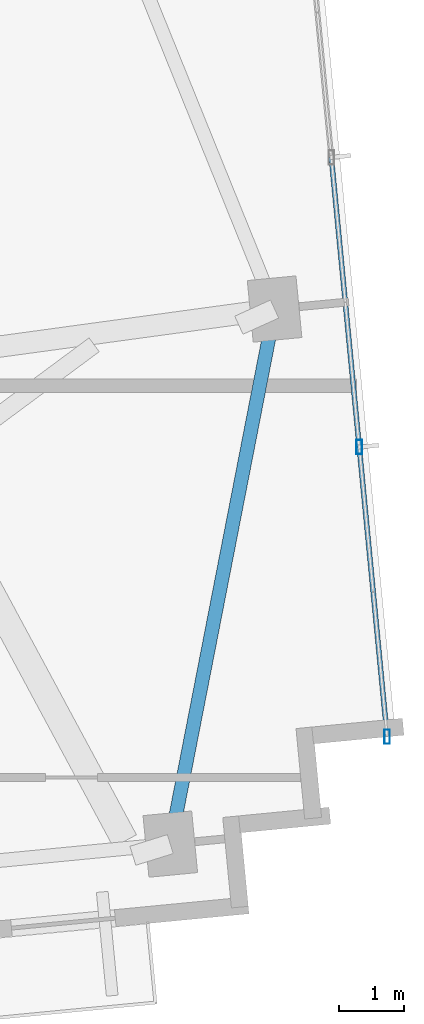
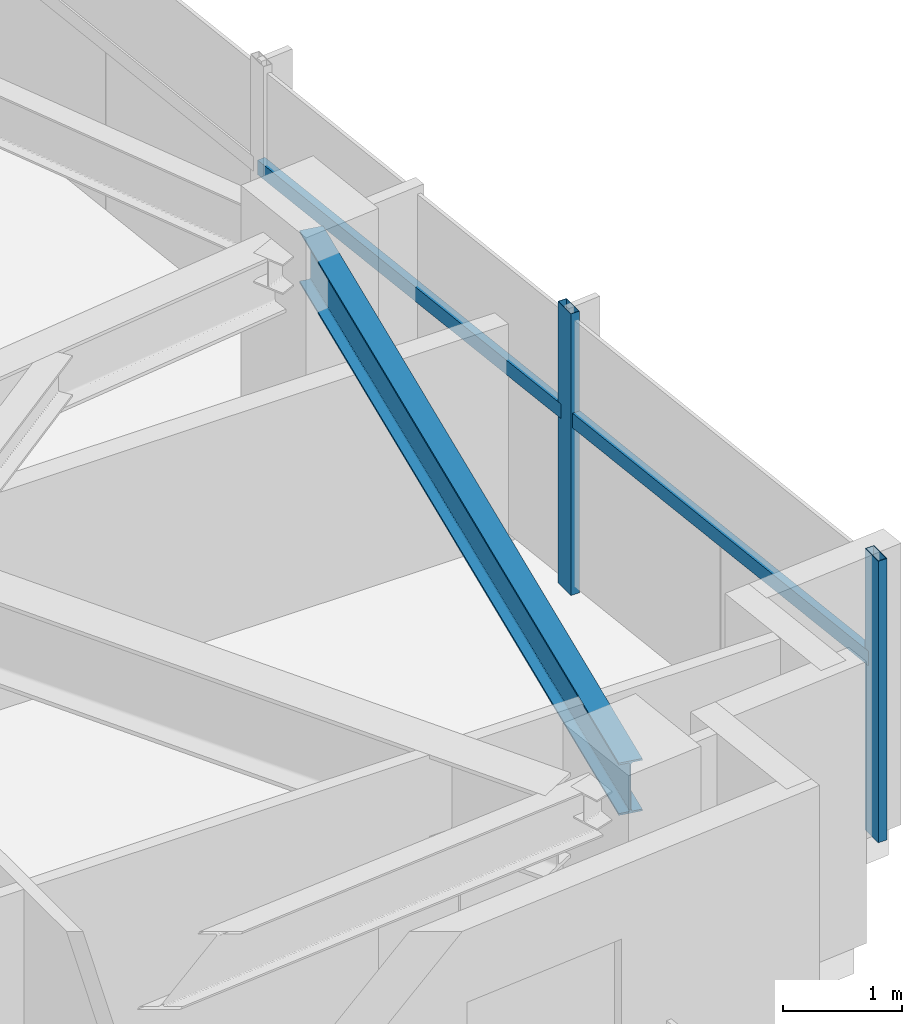
# One storey, part 10 of 18: 4 members, 1 beam, 1 element without a shape of its own.
"""IFC4 building model written with IfcOpenShell, lengths in metres."""

from ifc_helpers import new_model, si_unit, direction, frame, origin, origin_2d, place, context, subcontext, project, spatial, hollow_rectangle, i_section, extrude, source, transform, mapped, material, material_profile, profile_set, type_object, type_shapes, element, aggregate, save


model = new_model("IFC4")

# Units and contexts
model_context = context("Model", 3, precision=1e-05, world=origin(), true_north=direction((0.0, 1.0)))
body_context = subcontext(model_context, "Body", "Model", "MODEL_VIEW")
ifc_project = project(units=[si_unit("LENGTHUNIT", "METRE"), si_unit("AREAUNIT", "SQUARE_METRE"), si_unit("VOLUMEUNIT", "CUBIC_METRE"), si_unit("PLANEANGLEUNIT", "RADIAN"), si_unit("MASSUNIT", "GRAM", prefix="KILO")], contexts=[model_context])

# Site, building, storey
site_placement = place(None, origin())
site = spatial("IfcSite", under=ifc_project, at=site_placement, CompositionType="ELEMENT")
building_placement = place(site_placement, origin())
building = spatial("IfcBuilding", under=site, at=building_placement, Name="Astriad Promenade Condominiums", CompositionType="ELEMENT")
storey_placement = place(building_placement, frame((0.0, 0.0, 208.199951171875)))
storey = spatial("IfcBuildingStorey", under=building, at=storey_placement, Name="L60", CompositionType="ELEMENT", Elevation=208.199951171875)

# Beam
ifc_material_1 = material(Name="Steel ASTM A992 Grade 50", Category="steel")
ifc_material_profile_1 = material_profile(ifc_material_1, i_section(OverallWidth=0.210693359375, OverallDepth=0.53955078125, WebThickness=0.01171875, FlangeThickness=0.018798828125, FilletRadius=0.0166015625, at=origin_2d()), Name="W21X73")
ifc_profile_set_1 = profile_set([ifc_material_profile_1], Name="Steel ASTM A992 Grade 50")
beam_type = type_object("IfcBeamType", Name="STEEL SPANDREL BEAM W21X73", PredefinedType="SPANDREL", material=ifc_profile_set_1)
shared_shape_1 = source(origin(), body_context, "Body", "SweptSolid", [
    extrude(i_section(OverallWidth=0.210693359375, OverallDepth=0.53955078125, WebThickness=0.01171875, FlangeThickness=0.018798828125, FilletRadius=0.0166015625, at=origin_2d()), origin(), (0.0, 0.0, 1.0), 8.28564453125),
])
type_shapes(beam_type, [shared_shape_1])
beam_placement = place(storey_placement, frame((61.775634765625, 11.6552734375, 2.63037109375), z_axis=(0.191291582099, 0.981533254973, 0.0), x_axis=(-0.981533254973, 0.191291582099, 0.0)))
element("IfcBeam", 1, at=beam_placement, inside=storey, type_object=beam_type, Name="Perimeter Spandrel Beam SP-E1-L60", PredefinedType="SPANDREL", context=body_context, shape_type="MappedRepresentation", body=[
    mapped(shared_shape_1, transform((0.0, 0.0, 0.0), scale=1.0)),
])

# Curtain wall, members
ifc_material_2 = material(Name="Anodised aluminium Black Dark Glass Unitised", Category="aluminium")
curtain_wall_type = type_object("IfcCurtainWallType", Name="CW-B34-DARK", PredefinedType="USERDEFINED", material=ifc_material_2)
curtain_wall_placement = place(storey_placement, origin())
curtain_wall = element("IfcCurtainWall", 2, at=curtain_wall_placement, inside=storey, type_object=curtain_wall_type, Name="CW-L60-E", ObjectType="UNITISED_CURTAIN_WALL", PredefinedType="USERDEFINED")
ifc_material_3 = material(Name="Anodised aluminium 6063-T6 Black", Category="aluminium")
ifc_material_profile_2 = material_profile(ifc_material_3, hollow_rectangle(XDim=0.074951171875, YDim=0.14990234375, WallThickness=0.004150390625, at=origin_2d()), Name="ALU-TRN-75X150")
ifc_profile_set_2 = profile_set([ifc_material_profile_2], Name="Anodised aluminium 6063-T6 Black")
member_type_1 = type_object("IfcMemberType", Name="TRN-ALU-TRN-75X150", PredefinedType="USERDEFINED", material=ifc_profile_set_2)
shared_shape_2 = source(origin(), body_context, "Body", "SweptSolid", [
    extrude(hollow_rectangle(XDim=0.074951171875, YDim=0.14990234375, WallThickness=0.004150390625, at=origin_2d()), origin(), (0.0, 0.0, 1.0), 4.466552734375),
])
type_shapes(member_type_1, [shared_shape_2])
member_1_placement = place(storey_placement, frame((64.239013671875, 22.154541015625, 1.798095703125), z_axis=(0.095871755514, -0.995393694221, 0.0), x_axis=(0.995393694221, 0.095871755514, 0.0)))
member_1 = element("IfcMember", 3, at=member_1_placement, type_object=member_type_1, Name="CW-L60-E-TRN-01-0", ObjectType="TRANSOM", PredefinedType="USERDEFINED", context=body_context, shape_type="MappedRepresentation", body=[
    mapped(shared_shape_2, transform((0.0, 0.0, 0.0), scale=1.0)),
])
member_2_placement = place(storey_placement, frame((64.667236328125, 17.70849609375, 1.798095703125), z_axis=(0.095871755514, -0.995393694221, 0.0), x_axis=(0.995393694221, 0.095871755514, 0.0)))
member_2 = element("IfcMember", 4, at=member_2_placement, type_object=member_type_1, Name="CW-L60-E-TRN-02-0", ObjectType="TRANSOM", PredefinedType="USERDEFINED", context=body_context, shape_type="MappedRepresentation", body=[
    mapped(shared_shape_2, transform((0.0, 0.0, 0.0), scale=1.0)),
])
ifc_material_profile_3 = material_profile(ifc_material_3, hollow_rectangle(XDim=0.0849609375, YDim=0.219970703125, WallThickness=0.0048828125, at=origin_2d()), Name="ALU-MUL-85X220")
ifc_profile_set_3 = profile_set([ifc_material_profile_3], Name="Anodised aluminium 6063-T6 Black")
member_type_2 = type_object("IfcMemberType", Name="MUL-ALU-MUL-85X220", PredefinedType="MULLION", material=ifc_profile_set_3)
shared_shape_3 = source(origin(), body_context, "Body", "SweptSolid", [
    extrude(hollow_rectangle(XDim=0.0849609375, YDim=0.219970703125, WallThickness=0.0048828125, at=origin_2d()), origin(), (0.0, 0.0, 1.0), 2.900146484375),
])
type_shapes(member_type_2, [shared_shape_3])
member_3_placement = place(storey_placement, frame((64.667236328125, 17.70849609375, 0.0), z_axis=(0.0, 0.0, 1.0), x_axis=(1.0, 0.0, 0.0)))
member_3 = element("IfcMember", 5, at=member_3_placement, type_object=member_type_2, Name="CW-L60-E-MUL-02", PredefinedType="MULLION", context=body_context, shape_type="MappedRepresentation", body=[
    mapped(shared_shape_3, transform((0.0, 0.0, 0.0), scale=1.0)),
])
member_4_placement = place(storey_placement, frame((65.095458984375, 13.262451171875, 0.0), z_axis=(0.0, 0.0, 1.0), x_axis=(1.0, 0.0, 0.0)))
member_4 = element("IfcMember", 6, at=member_4_placement, type_object=member_type_2, Name="CW-L60-E-MUL-03", PredefinedType="MULLION", context=body_context, shape_type="MappedRepresentation", body=[
    mapped(shared_shape_3, transform((0.0, 0.0, 0.0), scale=1.0)),
])
aggregate(curtain_wall, [member_3, member_4, member_1, member_2])

save(model, "model.ifc")
